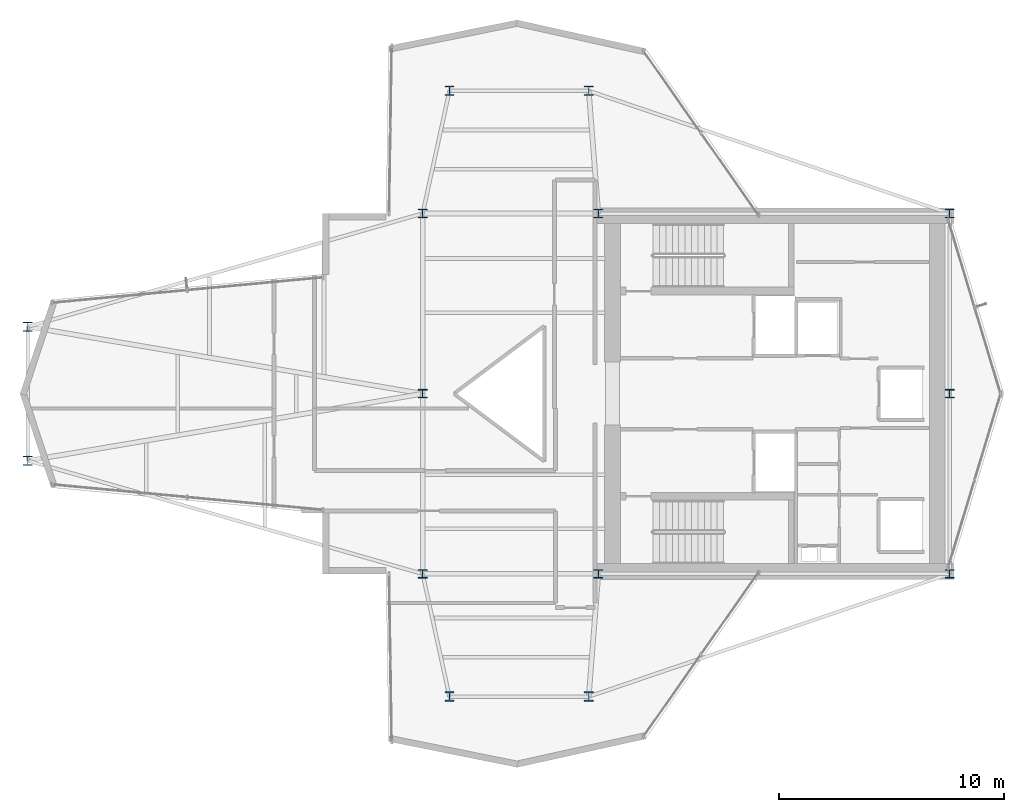
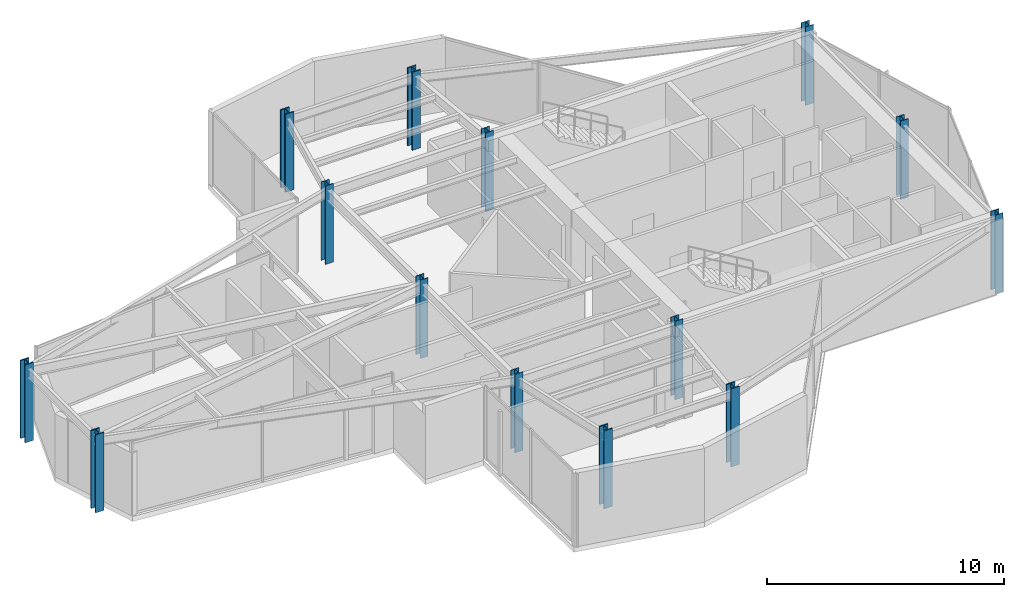
# One storey, part 1 of 22: 14 columns.
"""IFC4 building model written with IfcOpenShell, lengths in metres."""

import ifcopenshell
import ifcopenshell.guid

model = None  # the IFC model being written
_history = None  # IfcOwnerHistory: only IFC2X3 demands one
_inside = {}  # id of a spatial element -> (the spatial element, [elements in it])
_under = {}  # id of a project, library or spatial element -> (it, [spatial elements below it])
_declared = {}  # id of a project -> (the project, [libraries it declares])
_typed = {}  # id of a type object -> (the type object, [elements of that type])
_made_of = {}  # id of a material, layer set ... -> (it, [elements and type objects made of it])


def new_model(schema):
    """Start an empty IFC model of exactly this schema.

    Asked for "IFC4X3", IfcOpenShell would pick the latest addendum, in which some entities
    have other attributes; the version numbers below select the first issue.
    IFC2X3 requires an IfcOwnerHistory on every rooted entity: one is made here for all.
    """
    global model, _history
    if schema == "IFC4X3":
        model = ifcopenshell.file(schema_version=(4, 3, 0, 0))
    else:
        model = ifcopenshell.file(schema=schema)
    _inside.clear()
    _under.clear()
    _declared.clear()
    _typed.clear()
    _made_of.clear()
    _history = None
    if model.schema == "IFC2X3":
        org = make("IfcOrganization", Name="unknown")
        user = make(
            "IfcPersonAndOrganization",
            ThePerson=make("IfcPerson", FamilyName="unknown"),
            TheOrganization=org,
        )
        app = make(
            "IfcApplication",
            ApplicationDeveloper=org,
            Version="unknown",
            ApplicationFullName="unknown",
            ApplicationIdentifier="unknown",
        )
        _history = make(
            "IfcOwnerHistory",
            OwningUser=user,
            OwningApplication=app,
            ChangeAction="ADDED",
            CreationDate=0,
        )
    return model


def make(cls, **values):
    """One entity of the class cls with the attributes given. An attribute that is None is left unset."""
    return model.create_entity(
        cls, **{name: value for name, value in values.items() if value is not None}
    )


def rooted(cls, **values):
    """An entity with a GlobalId (a new one), such as an element, a storey or a relation."""
    return make(cls, GlobalId=ifcopenshell.guid.new(), OwnerHistory=_history, **values)


def si_unit(unit_type, name, prefix=None):
    """IfcSIUnit, for example si_unit("LENGTHUNIT", "METRE", prefix="MILLI")."""
    return make("IfcSIUnit", UnitType=unit_type, Prefix=prefix, Name=name)


def assignment(units):
    """IfcUnitAssignment: the units of a project."""
    return None if units is None else make("IfcUnitAssignment", Units=units)


def point(xyz):
    """IfcCartesianPoint."""
    return None if xyz is None else make("IfcCartesianPoint", Coordinates=xyz)


def direction(xyz):
    """IfcDirection."""
    return None if xyz is None else make("IfcDirection", DirectionRatios=xyz)


def frame(location, z_axis=None, x_axis=None):
    """IfcAxis2Placement3D, a coordinate frame: its origin and axes. An axis left out is left unset."""
    return make(
        "IfcAxis2Placement3D",
        Location=point(location),
        Axis=direction(z_axis),
        RefDirection=direction(x_axis),
    )


def frame_2d(location, x_axis=None):
    """IfcAxis2Placement2D, a coordinate frame in the plane: its origin and x axis."""
    return make(
        "IfcAxis2Placement2D", Location=point(location), RefDirection=direction(x_axis)
    )


def origin():
    """The frame at (0, 0, 0) with its axes left unset."""
    return frame((0.0, 0.0, 0.0))


def origin_2d():
    """The frame at (0, 0) in the plane with its x axis left unset."""
    return frame_2d((0.0, 0.0))


def place(relative_to, where):
    """IfcLocalPlacement: puts the frame where relative to a parent placement (None: the world)."""
    return make(
        "IfcLocalPlacement", PlacementRelTo=relative_to, RelativePlacement=where
    )


def context(
    kind, dimensions, precision=None, world=None, true_north=None, identifier=None
):
    """IfcGeometricRepresentationContext, for example the 3D "Model" context."""
    return make(
        "IfcGeometricRepresentationContext",
        ContextIdentifier=identifier,
        ContextType=kind,
        CoordinateSpaceDimension=dimensions,
        Precision=precision,
        WorldCoordinateSystem=world,
        TrueNorth=true_north,
    )


def subcontext(parent, identifier, kind, view, scale=None):
    """IfcGeometricRepresentationSubContext, for example "Body" below "Model"."""
    return make(
        "IfcGeometricRepresentationSubContext",
        ContextIdentifier=identifier,
        ContextType=kind,
        ParentContext=parent,
        TargetScale=scale,
        TargetView=view,
    )


def project(units=None, contexts=None):
    """IfcProject with its units and contexts."""
    return rooted(
        "IfcProject",
        Name="project",
        RepresentationContexts=contexts,
        UnitsInContext=assignment(units),
    )


def spatial(cls, under=None, at=None, **own):
    """A site, building, storey or space (cls), placed at a placement, below another one or the project."""
    s = rooted(cls, ObjectPlacement=at, **own)
    if under is not None:
        _under.setdefault(under.id(), (under, []))[1].append(s)
    return s


def profile(cls, at=None, kind="AREA", **sizes):
    """A parametric profile (cls). Its sizes go by their IFC names, for example OverallWidth=200.0."""
    return make(cls, ProfileType=kind, Position=at, **sizes)


def i_section(**sizes):
    """IfcIShapeProfileDef."""
    return profile("IfcIShapeProfileDef", **sizes)


def extrude(swept, where, along, depth):
    """IfcExtrudedAreaSolid: the profile swept, set in the frame where, extruded along a direction by depth."""
    return make(
        "IfcExtrudedAreaSolid",
        SweptArea=swept,
        Position=where,
        ExtrudedDirection=direction(along),
        Depth=depth,
    )


def shape(context_of_items, identifier, shape_type, items):
    """IfcShapeRepresentation: the items that make up one representation, for example the "Body"."""
    return make(
        "IfcShapeRepresentation",
        ContextOfItems=context_of_items,
        RepresentationIdentifier=identifier,
        RepresentationType=shape_type,
        Items=items,
    )


def material(Name=None, Category=None):
    """IfcMaterial."""
    return make("IfcMaterial", Name=Name, Category=Category)


def material_profile(
    of_material, cross_section, Name=None, Category=None, Priority=None
):
    """IfcMaterialProfile: a cross section and its material."""
    return make(
        "IfcMaterialProfile",
        Name=Name,
        Material=of_material,
        Profile=cross_section,
        Priority=Priority,
        Category=Category,
    )


def profile_set(profiles, Name=None, composite=None):
    """IfcMaterialProfileSet."""
    return make(
        "IfcMaterialProfileSet",
        Name=Name,
        MaterialProfiles=profiles,
        CompositeProfile=composite,
    )


def made_of(thing, what):
    """Note that an element or type object is made of a material, layer set ...; save() writes the relation."""
    if what is not None:
        _made_of.setdefault(what.id(), (what, []))[1].append(thing)
    return thing


def type_object(cls, material=None, **own):
    """A type object (cls), such as IfcWallType, which elements share."""
    return made_of(rooted(cls, **own), material)


def element(
    cls,
    number,
    at=None,
    inside=None,
    cuts=None,
    type_object=None,
    material=None,
    context=None,
    identifier="Body",
    shape_type=None,
    held_by="IfcProductDefinitionShape",
    body=None,
    shapes=None,
    **own,
):
    """One element of the class cls, such as IfcWall. Its Tag is "e" and its number.

    at: its placement. inside: the storey or other place that contains it. cuts: it is an
    opening in that element (IfcRelVoidsElement). A single representation is given by context,
    identifier, shape_type and body (its items); several are given by shapes. held_by: the class
    of the entity that holds the representations. save() writes the other relations.
    """
    e = rooted(cls, Tag="e%d" % number, ObjectPlacement=at, **own)
    if body is not None:
        shapes = [shape(context, identifier, shape_type, body)]
    if shapes is not None:
        e.Representation = make(held_by, Representations=shapes)
    if inside is not None:
        _inside.setdefault(inside.id(), (inside, []))[1].append(e)
    if cuts is not None:
        rooted(
            "IfcRelVoidsElement", RelatingBuildingElement=cuts, RelatedOpeningElement=e
        )
    if type_object is not None:
        _typed.setdefault(type_object.id(), (type_object, []))[1].append(e)
    return made_of(e, material)


def aggregate(whole, parts):
    """IfcRelAggregates: a whole, such as a stair, and the parts it consists of."""
    return rooted("IfcRelAggregates", RelatingObject=whole, RelatedObjects=parts)


def save(model, path):
    """Write the relations noted so far, then the file.

    IfcRelAggregates (storeys below a building ...), IfcRelContainedInSpatialStructure (elements
    in a storey), IfcRelDefinesByType, IfcRelAssociatesMaterial and IfcRelDeclares: one each for
    every whole, place, type object, material and project.
    """
    for whole, parts in _under.values():
        aggregate(whole, parts)
    for where, things in _inside.values():
        rooted(
            "IfcRelContainedInSpatialStructure",
            RelatedElements=things,
            RelatingStructure=where,
        )
    for kind, things in _typed.values():
        rooted("IfcRelDefinesByType", RelatedObjects=things, RelatingType=kind)
    for what, things in _made_of.values():
        rooted("IfcRelAssociatesMaterial", RelatedObjects=things, RelatingMaterial=what)
    for by, libraries in _declared.values():
        rooted("IfcRelDeclares", RelatingContext=by, RelatedDefinitions=libraries)
    model.write(path)


model = new_model("IFC4")

# Units and contexts
model_context = context("Model", 3, precision=1e-05, world=origin(), true_north=direction((0.0, 1.0)))
body_context = subcontext(model_context, "Body", "Model", "MODEL_VIEW")
ifc_project = project(units=[si_unit("LENGTHUNIT", "METRE"), si_unit("AREAUNIT", "SQUARE_METRE"), si_unit("VOLUMEUNIT", "CUBIC_METRE"), si_unit("PLANEANGLEUNIT", "RADIAN"), si_unit("MASSUNIT", "GRAM", prefix="KILO")], contexts=[model_context])

# Site, building, storey
site_placement = place(None, origin())
site = spatial("IfcSite", under=ifc_project, at=site_placement, CompositionType="ELEMENT")
building_placement = place(site_placement, origin())
building = spatial("IfcBuilding", under=site, at=building_placement, Name="Veymaron Broadcast Tower", CompositionType="ELEMENT")
storey_placement = place(building_placement, frame((0.0, 0.0, 216.14990234375)))
storey = spatial("IfcBuildingStorey", under=building, at=storey_placement, Name="L50", CompositionType="ELEMENT", Elevation=216.14990234375)

# Columns
ifc_material_1 = material(Name="Structural steel ASTM A992 Gr 50", Category="steel")
ifc_material_profile_1 = material_profile(ifc_material_1, i_section(OverallWidth=0.39404296875, OverallDepth=0.375, WebThickness=0.017333984375, FlangeThickness=0.027587890625, at=origin_2d()), Name="W360X216")
ifc_profile_set_1 = profile_set([ifc_material_profile_1], Name="Structural steel ASTM A992 Gr 50")
column_type_1 = type_object("IfcColumnType", Name="COL-HC3", PredefinedType="COLUMN", material=ifc_profile_set_1)
for number, where, z_axis, x_axis, name in (
    (1, (31.199951171875, 16.0, 0.0), (0.0, 0.0, 1.0), (1.0, 0.0, 0.0), "L50 structural hub and core column"),
    (2, (31.199951171875, 24.0, 0.0), (0.0, 0.0, 1.0), (1.0, 0.0, 0.0), "L50 structural hub and core column"),
    (3, (31.199951171875, 32.0, 0.0), (0.0, 0.0, 1.0), (1.0, 0.0, 0.0), "L50 structural hub and core column"),
    (4, (39.0, 16.0, 0.0), (0.0, 0.0, 1.0), (1.0, 0.0, 0.0), "L50 structural hub and core column"),
    (5, (39.0, 32.0, 0.0), (0.0, 0.0, 1.0), (1.0, 0.0, 0.0), "L50 structural hub and core column"),
    (6, (54.60009765625, 16.0, 0.0), (0.0, 0.0, 1.0), (1.0, 0.0, 0.0), "L50 structural hub and core column"),
    (7, (54.60009765625, 24.0, 0.0), (0.0, 0.0, 1.0), (1.0, 0.0, 0.0), "L50 structural hub and core column"),
    (8, (54.60009765625, 32.0, 0.0), (0.0, 0.0, 1.0), (1.0, 0.0, 0.0), "L50 structural hub and core column"),
):
    element("IfcColumn", number, at=place(storey_placement, frame(where, z_axis=z_axis, x_axis=x_axis)), inside=storey, type_object=column_type_1, Name=name, PredefinedType="COLUMN", context=body_context, shape_type="SweptSolid", body=[
        extrude(i_section(OverallWidth=0.39404296875, OverallDepth=0.375, WebThickness=0.017333984375, FlangeThickness=0.027587890625, at=origin_2d()), origin(), (0.0, 0.0, 1.0), 4.044189453125),
    ])
ifc_material_2 = material(Name="Structural steel ASTM A913 Gr 65", Category="steel")
ifc_material_profile_2 = material_profile(ifc_material_2, i_section(OverallWidth=0.412109375, OverallDepth=0.43505859375, WebThickness=0.035888671875, FlangeThickness=0.05810546875, at=origin_2d()), Name="W360X463")
ifc_profile_set_2 = profile_set([ifc_material_profile_2], Name="Structural steel ASTM A913 Gr 65")
column_type_2 = type_object("IfcColumnType", Name="COL-MC3", PredefinedType="COLUMN", material=ifc_profile_set_2)
for number, where, z_axis, x_axis, name in (
    (9, (13.6650390625, 21.02490234375, 0.01611328125), (0.0, 0.0, 1.0), (1.0, 0.0, 0.0), "L50 Tapered Wing Mega Column"),
    (10, (13.6650390625, 26.97509765625, 0.01611328125), (0.0, 0.0, 1.0), (1.0, 0.0, 0.0), "L50 Tapered Wing Mega Column"),
    (11, (32.389892578125, 37.449951171875, 0.01611328125), (0.0, 0.0, 1.0), (1.0, 0.0, 0.0), "L50 Tapered Wing Mega Column"),
    (12, (38.574951171875, 37.449951171875, 0.01611328125), (0.0, 0.0, 1.0), (1.0, 0.0, 0.0), "L50 Tapered Wing Mega Column"),
    (13, (32.389892578125, 10.550048828125, 0.01611328125), (0.0, 0.0, 1.0), (1.0, 0.0, 0.0), "L50 Tapered Wing Mega Column"),
    (14, (38.574951171875, 10.550048828125, 0.01611328125), (0.0, 0.0, 1.0), (1.0, 0.0, 0.0), "L50 Tapered Wing Mega Column"),
):
    element("IfcColumn", number, at=place(storey_placement, frame(where, z_axis=z_axis, x_axis=x_axis)), inside=storey, type_object=column_type_2, Name=name, PredefinedType="COLUMN", context=body_context, shape_type="SweptSolid", body=[
        extrude(i_section(OverallWidth=0.412109375, OverallDepth=0.43505859375, WebThickness=0.035888671875, FlangeThickness=0.05810546875, at=origin_2d()), origin(), (0.0, 0.0, 1.0), 4.01806640625),
    ])

save(model, "model.ifc")
